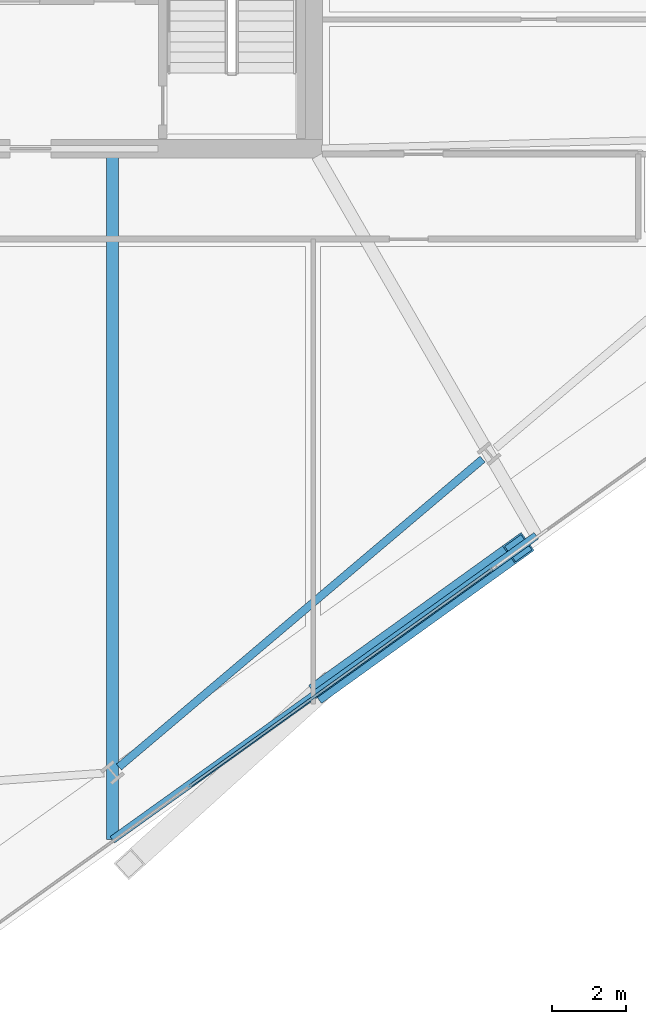
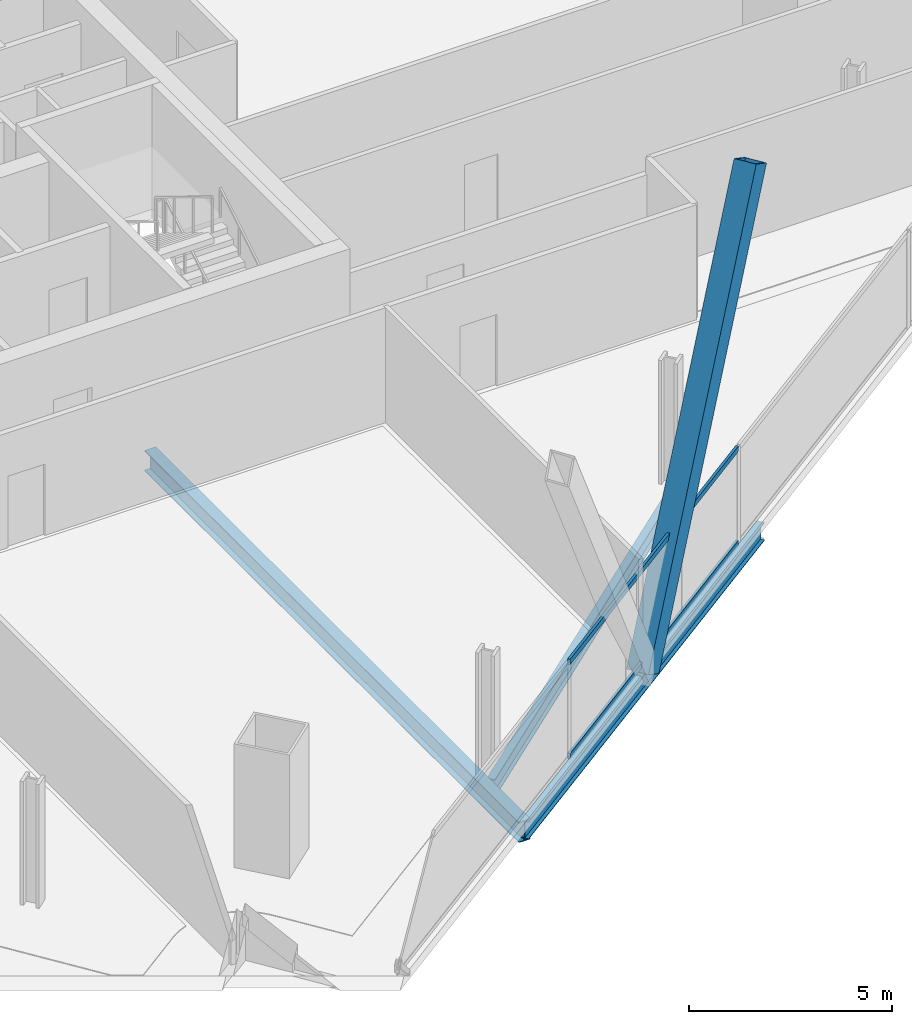
# One storey, part 7 of 33: 3 beams, 3 members, 1 element without a shape of its own.
"""IFC4 building model written with IfcOpenShell, lengths in metres."""

from ifc_helpers import new_model, si_unit, direction, frame, origin, origin_2d, place, context, subcontext, project, spatial, hollow_rectangle, i_section, extrude, material, material_profile, profile_set, type_object, element, aggregate, save


model = new_model("IFC4")

# Units and contexts
model_context = context("Model", 3, precision=1e-05, world=origin(), true_north=direction((0.0, 1.0)))
body_context = subcontext(model_context, "Body", "Model", "MODEL_VIEW")
ifc_project = project(units=[si_unit("LENGTHUNIT", "METRE"), si_unit("AREAUNIT", "SQUARE_METRE"), si_unit("VOLUMEUNIT", "CUBIC_METRE"), si_unit("PLANEANGLEUNIT", "RADIAN"), si_unit("MASSUNIT", "GRAM", prefix="KILO")], contexts=[model_context])

# Site, building, storey
site_placement = place(None, origin())
site = spatial("IfcSite", under=ifc_project, at=site_placement, CompositionType="ELEMENT")
building_placement = place(site_placement, origin())
building = spatial("IfcBuilding", under=site, at=building_placement, Name="Haldenkirk Collegiate Tower", CompositionType="ELEMENT")
storey_placement = place(building_placement, frame((0.0, 0.0, 148.199951171875)))
storey = spatial("IfcBuildingStorey", under=building, at=storey_placement, Name="L36", CompositionType="ELEMENT", Elevation=148.199951171875)

# Beams
ifc_material_1 = material(Name="Steel ASTM A992 Grade 50", Category="steel")
ifc_material_profile_1 = material_profile(ifc_material_1, i_section(OverallWidth=0.324951171875, OverallDepth=0.615966796875, WebThickness=0.013916015625, FlangeThickness=0.021484375, at=origin_2d()), Name="W24X117")
ifc_profile_set_1 = profile_set([ifc_material_profile_1], Name="Steel ASTM A992 Grade 50")
beam_type_1 = type_object("IfcBeamType", Name="BM-GIRDER-W24X117", PredefinedType="BEAM", material=ifc_profile_set_1)
beam_1_placement = place(storey_placement, frame((39.568603515625, -0.70458984375, -0.597900390625), z_axis=(0.0, 1.0, 0.0), x_axis=(-1.0, 0.0, 0.0)))
element("IfcBeam", 1, at=beam_1_placement, inside=storey, type_object=beam_type_1, Name="L36 primary floor girder 05", PredefinedType="BEAM", context=body_context, shape_type="SweptSolid", body=[
    extrude(i_section(OverallWidth=0.324951171875, OverallDepth=0.615966796875, WebThickness=0.013916015625, FlangeThickness=0.021484375, at=origin_2d()), origin(), (0.0, 0.0, 1.0), 18.474609375),
])
ifc_material_profile_2 = material_profile(ifc_material_1, i_section(OverallWidth=0.2119140625, OverallDepth=0.5439453125, WebThickness=0.01318359375, FlangeThickness=0.021240234375, at=origin_2d()), Name="W21X83")
ifc_profile_set_2 = profile_set([ifc_material_profile_2], Name="Steel ASTM A992 Grade 50")
beam_type_2 = type_object("IfcBeamType", Name="BM-SPANDREL-W21X83", PredefinedType="SPANDREL", material=ifc_profile_set_2)
beam_2_placement = place(storey_placement, frame((39.743408203125, 1.261474609375, -0.56201171875), z_axis=(0.763233335078, 0.646122957514, 0.0), x_axis=(-0.646122957514, 0.763233335078, 0.0)))
element("IfcBeam", 2, at=beam_2_placement, inside=storey, type_object=beam_type_2, Name="L36 perimeter spandrel beam 02", PredefinedType="SPANDREL", context=body_context, shape_type="SweptSolid", body=[
    extrude(i_section(OverallWidth=0.2119140625, OverallDepth=0.5439453125, WebThickness=0.01318359375, FlangeThickness=0.021240234375, at=origin_2d()), origin(), (0.0, 0.0, 1.0), 12.898193359375),
])
beam_3_placement = place(storey_placement, frame((39.568603515625, -0.70458984375, -0.56201171875), z_axis=(0.812602161316, 0.582818777515, 0.0), x_axis=(-0.582818777515, 0.812602161316, 0.0)))
element("IfcBeam", 3, at=beam_3_placement, inside=storey, type_object=beam_type_2, Name="L36 outer facade edge beam 1", PredefinedType="SPANDREL", context=body_context, shape_type="SweptSolid", body=[
    extrude(i_section(OverallWidth=0.2119140625, OverallDepth=0.5439453125, WebThickness=0.01318359375, FlangeThickness=0.021240234375, at=origin_2d()), origin(), (0.0, 0.0, 1.0), 14.119384765625),
])

# Curtain wall, members
ifc_material_2 = material(Name="Anodised architectural bronze aluminium", Category="aluminium")
curtain_wall_type = type_object("IfcCurtainWallType", Name="CW-SYS2-CONCAVE", PredefinedType="USERDEFINED", material=ifc_material_2)
curtain_wall_placement = place(storey_placement, origin())
curtain_wall = element("IfcCurtainWall", 4, at=curtain_wall_placement, inside=storey, type_object=curtain_wall_type, Name="L36 South concave recessed bronze-anodised curtain wall", ObjectType="UNITISED CURTAIN WALL", PredefinedType="USERDEFINED")
ifc_material_profile_3 = material_profile(ifc_material_2, hollow_rectangle(XDim=0.074951171875, YDim=0.159912109375, WallThickness=0.0048828125, at=origin_2d()), Name="CW-TRN-02")
ifc_profile_set_3 = profile_set([ifc_material_profile_3], Name="Anodised architectural bronze aluminium")
member_type_1 = type_object("IfcMemberType", Name="CW-TRN-02", PredefinedType="USERDEFINED", material=ifc_profile_set_3)
member_1_placement = place(storey_placement, frame((49.8525390625, 6.622314453125, 0.03759765625), z_axis=(-0.812587400716, -0.582839357111, 0.0), x_axis=(0.582839357111, -0.812587400716, 0.0)))
member_1 = element("IfcMember", 5, at=member_1_placement, type_object=member_type_1, Name="CW-02 transom 3.1", ObjectType="TRANSOM", PredefinedType="USERDEFINED", context=body_context, shape_type="SweptSolid", body=[
    extrude(hollow_rectangle(XDim=0.074951171875, YDim=0.159912109375, WallThickness=0.0048828125, at=origin_2d()), origin(), (0.0, 0.0, 1.0), 10.074951171875),
])
member_2_placement = place(storey_placement, frame((49.8525390625, 6.622314453125, 2.87353515625), z_axis=(-0.812587400716, -0.582839357111, 0.0), x_axis=(0.582839357111, -0.812587400716, 0.0)))
member_2 = element("IfcMember", 6, at=member_2_placement, type_object=member_type_1, Name="CW-02 transom 3.2", ObjectType="TRANSOM", PredefinedType="USERDEFINED", context=body_context, shape_type="SweptSolid", body=[
    extrude(hollow_rectangle(XDim=0.074951171875, YDim=0.159912109375, WallThickness=0.0048828125, at=origin_2d()), origin(), (0.0, 0.0, 1.0), 10.074951171875),
])
aggregate(curtain_wall, [member_1, member_2])

# Member
ifc_material_3 = material(Name="Steel ASTM A572 Grade 50", Category="steel")
ifc_material_profile_4 = material_profile(ifc_material_3, hollow_rectangle(XDim=0.60009765625, YDim=0.719970703125, WallThickness=0.044921875, at=origin_2d()), Name="BOX720X600X45")
ifc_profile_set_4 = profile_set([ifc_material_profile_4], Name="Steel ASTM A572 Grade 50")
member_type_2 = type_object("IfcMemberType", Name="MBR-MEGABRACE-BOX720X600X45", PredefinedType="BRACE", material=ifc_profile_set_4)
member_3_placement = place(storey_placement, frame((45.305419921875, 3.409912109375, -0.300048828125), z_axis=(0.404496278571, 0.290963366445, 0.867019653762), x_axis=(-0.583942571891, 0.81179496964, 0.0)))
element("IfcMember", 7, at=member_3_placement, inside=storey, type_object=member_type_2, Name="Perimeter Mega Brace Z3 L36-L38 SR", PredefinedType="BRACE", context=body_context, shape_type="SweptSolid", body=[
    extrude(hollow_rectangle(XDim=0.60009765625, YDim=0.719970703125, WallThickness=0.044921875, at=origin_2d()), origin(), (0.0, 0.0, 1.0), 12.9755859375),
])

save(model, "model.ifc")
